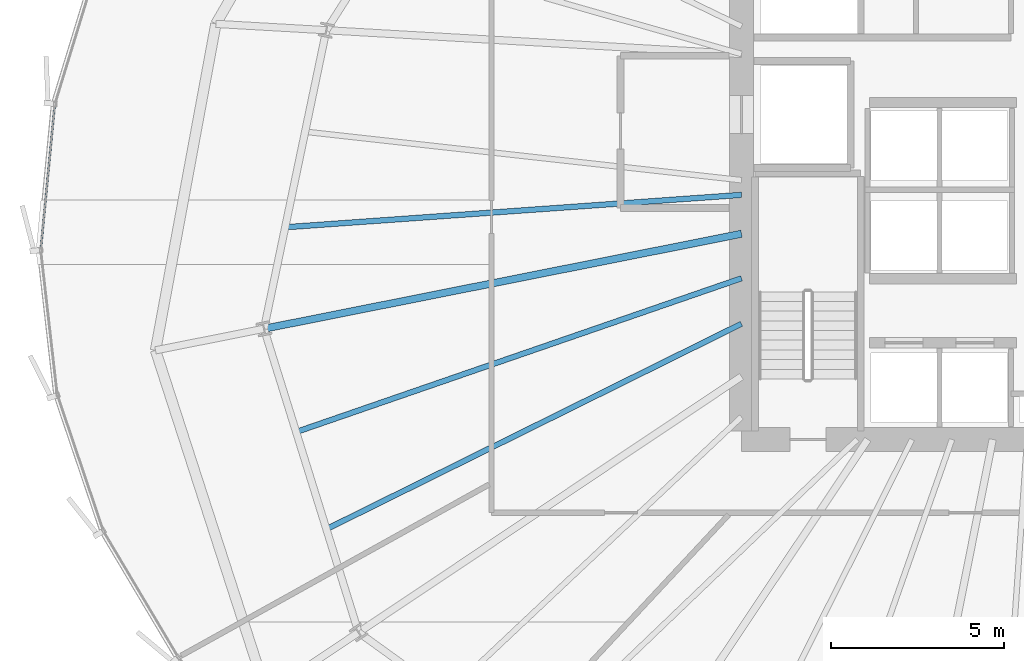
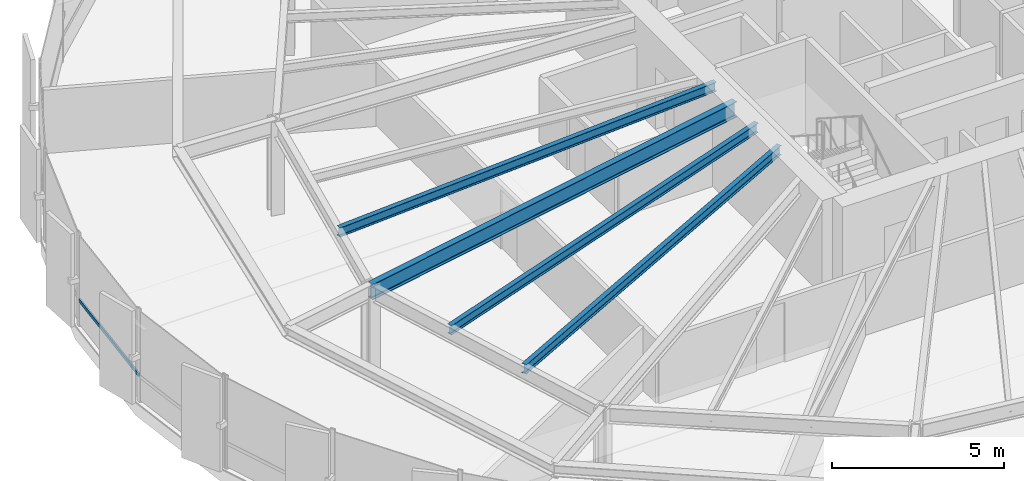
# One storey, part 8 of 35: 4 beams, 1 member, 1 element without a shape of its own.
"""IFC4 building model written with IfcOpenShell, lengths in metres."""

import ifcopenshell
import ifcopenshell.guid

model = None  # the IFC model being written
_history = None  # IfcOwnerHistory: only IFC2X3 demands one
_inside = {}  # id of a spatial element -> (the spatial element, [elements in it])
_under = {}  # id of a project, library or spatial element -> (it, [spatial elements below it])
_declared = {}  # id of a project -> (the project, [libraries it declares])
_typed = {}  # id of a type object -> (the type object, [elements of that type])
_made_of = {}  # id of a material, layer set ... -> (it, [elements and type objects made of it])


def new_model(schema):
    """Start an empty IFC model of exactly this schema.

    Asked for "IFC4X3", IfcOpenShell would pick the latest addendum, in which some entities
    have other attributes; the version numbers below select the first issue.
    IFC2X3 requires an IfcOwnerHistory on every rooted entity: one is made here for all.
    """
    global model, _history
    if schema == "IFC4X3":
        model = ifcopenshell.file(schema_version=(4, 3, 0, 0))
    else:
        model = ifcopenshell.file(schema=schema)
    _inside.clear()
    _under.clear()
    _declared.clear()
    _typed.clear()
    _made_of.clear()
    _history = None
    if model.schema == "IFC2X3":
        org = make("IfcOrganization", Name="unknown")
        user = make(
            "IfcPersonAndOrganization",
            ThePerson=make("IfcPerson", FamilyName="unknown"),
            TheOrganization=org,
        )
        app = make(
            "IfcApplication",
            ApplicationDeveloper=org,
            Version="unknown",
            ApplicationFullName="unknown",
            ApplicationIdentifier="unknown",
        )
        _history = make(
            "IfcOwnerHistory",
            OwningUser=user,
            OwningApplication=app,
            ChangeAction="ADDED",
            CreationDate=0,
        )
    return model


def make(cls, **values):
    """One entity of the class cls with the attributes given. An attribute that is None is left unset."""
    return model.create_entity(
        cls, **{name: value for name, value in values.items() if value is not None}
    )


def rooted(cls, **values):
    """An entity with a GlobalId (a new one), such as an element, a storey or a relation."""
    return make(cls, GlobalId=ifcopenshell.guid.new(), OwnerHistory=_history, **values)


def si_unit(unit_type, name, prefix=None):
    """IfcSIUnit, for example si_unit("LENGTHUNIT", "METRE", prefix="MILLI")."""
    return make("IfcSIUnit", UnitType=unit_type, Prefix=prefix, Name=name)


def assignment(units):
    """IfcUnitAssignment: the units of a project."""
    return None if units is None else make("IfcUnitAssignment", Units=units)


def point(xyz):
    """IfcCartesianPoint."""
    return None if xyz is None else make("IfcCartesianPoint", Coordinates=xyz)


def direction(xyz):
    """IfcDirection."""
    return None if xyz is None else make("IfcDirection", DirectionRatios=xyz)


def frame(location, z_axis=None, x_axis=None):
    """IfcAxis2Placement3D, a coordinate frame: its origin and axes. An axis left out is left unset."""
    return make(
        "IfcAxis2Placement3D",
        Location=point(location),
        Axis=direction(z_axis),
        RefDirection=direction(x_axis),
    )


def frame_2d(location, x_axis=None):
    """IfcAxis2Placement2D, a coordinate frame in the plane: its origin and x axis."""
    return make(
        "IfcAxis2Placement2D", Location=point(location), RefDirection=direction(x_axis)
    )


def origin():
    """The frame at (0, 0, 0) with its axes left unset."""
    return frame((0.0, 0.0, 0.0))


def origin_2d():
    """The frame at (0, 0) in the plane with its x axis left unset."""
    return frame_2d((0.0, 0.0))


def place(relative_to, where):
    """IfcLocalPlacement: puts the frame where relative to a parent placement (None: the world)."""
    return make(
        "IfcLocalPlacement", PlacementRelTo=relative_to, RelativePlacement=where
    )


def context(
    kind, dimensions, precision=None, world=None, true_north=None, identifier=None
):
    """IfcGeometricRepresentationContext, for example the 3D "Model" context."""
    return make(
        "IfcGeometricRepresentationContext",
        ContextIdentifier=identifier,
        ContextType=kind,
        CoordinateSpaceDimension=dimensions,
        Precision=precision,
        WorldCoordinateSystem=world,
        TrueNorth=true_north,
    )


def subcontext(parent, identifier, kind, view, scale=None):
    """IfcGeometricRepresentationSubContext, for example "Body" below "Model"."""
    return make(
        "IfcGeometricRepresentationSubContext",
        ContextIdentifier=identifier,
        ContextType=kind,
        ParentContext=parent,
        TargetScale=scale,
        TargetView=view,
    )


def project(units=None, contexts=None):
    """IfcProject with its units and contexts."""
    return rooted(
        "IfcProject",
        Name="project",
        RepresentationContexts=contexts,
        UnitsInContext=assignment(units),
    )


def spatial(cls, under=None, at=None, **own):
    """A site, building, storey or space (cls), placed at a placement, below another one or the project."""
    s = rooted(cls, ObjectPlacement=at, **own)
    if under is not None:
        _under.setdefault(under.id(), (under, []))[1].append(s)
    return s


def profile(cls, at=None, kind="AREA", **sizes):
    """A parametric profile (cls). Its sizes go by their IFC names, for example OverallWidth=200.0."""
    return make(cls, ProfileType=kind, Position=at, **sizes)


def hollow_rectangle(**sizes):
    """IfcRectangleHollowProfileDef."""
    return profile("IfcRectangleHollowProfileDef", **sizes)


def i_section(**sizes):
    """IfcIShapeProfileDef."""
    return profile("IfcIShapeProfileDef", **sizes)


def extrude(swept, where, along, depth):
    """IfcExtrudedAreaSolid: the profile swept, set in the frame where, extruded along a direction by depth."""
    return make(
        "IfcExtrudedAreaSolid",
        SweptArea=swept,
        Position=where,
        ExtrudedDirection=direction(along),
        Depth=depth,
    )


def shape(context_of_items, identifier, shape_type, items):
    """IfcShapeRepresentation: the items that make up one representation, for example the "Body"."""
    return make(
        "IfcShapeRepresentation",
        ContextOfItems=context_of_items,
        RepresentationIdentifier=identifier,
        RepresentationType=shape_type,
        Items=items,
    )


def source(mapping_origin, context_of_items, identifier, shape_type, items):
    """IfcRepresentationMap: a shape defined once, which mapped items show again and again."""
    return make(
        "IfcRepresentationMap",
        MappingOrigin=mapping_origin,
        MappedRepresentation=shape(context_of_items, identifier, shape_type, items),
    )


def transform(
    local_origin,
    x_axis=None,
    y_axis=None,
    z_axis=None,
    scale=None,
    scale2=None,
    scale3=None,
    uniform=True,
):
    """IfcCartesianTransformationOperator3D, or its non-uniform kind. x_axis, y_axis, z_axis: its Axis1, 2, 3."""
    if uniform:
        return make(
            "IfcCartesianTransformationOperator3D",
            Axis1=direction(x_axis),
            Axis2=direction(y_axis),
            LocalOrigin=point(local_origin),
            Scale=scale,
            Axis3=direction(z_axis),
        )
    return make(
        "IfcCartesianTransformationOperator3DnonUniform",
        Axis1=direction(x_axis),
        Axis2=direction(y_axis),
        LocalOrigin=point(local_origin),
        Scale=scale,
        Axis3=direction(z_axis),
        Scale2=scale2,
        Scale3=scale3,
    )


def mapped(mapping_source, mapping_target):
    """IfcMappedItem: shows the shape of a source again, moved by a transform."""
    return make(
        "IfcMappedItem", MappingSource=mapping_source, MappingTarget=mapping_target
    )


def material(Name=None, Category=None):
    """IfcMaterial."""
    return make("IfcMaterial", Name=Name, Category=Category)


def layer(
    of_material, thickness, ventilated=None, Name=None, Category=None, Priority=None
):
    """IfcMaterialLayer: one layer of a wall or slab, of a material (None: an air gap)."""
    return make(
        "IfcMaterialLayer",
        Material=of_material,
        LayerThickness=thickness,
        IsVentilated=ventilated,
        Name=Name,
        Category=Category,
        Priority=Priority,
    )


def layer_set(layers, Name=None):
    """IfcMaterialLayerSet."""
    return make("IfcMaterialLayerSet", MaterialLayers=layers, LayerSetName=Name)


def material_profile(
    of_material, cross_section, Name=None, Category=None, Priority=None
):
    """IfcMaterialProfile: a cross section and its material."""
    return make(
        "IfcMaterialProfile",
        Name=Name,
        Material=of_material,
        Profile=cross_section,
        Priority=Priority,
        Category=Category,
    )


def profile_set(profiles, Name=None, composite=None):
    """IfcMaterialProfileSet."""
    return make(
        "IfcMaterialProfileSet",
        Name=Name,
        MaterialProfiles=profiles,
        CompositeProfile=composite,
    )


def made_of(thing, what):
    """Note that an element or type object is made of a material, layer set ...; save() writes the relation."""
    if what is not None:
        _made_of.setdefault(what.id(), (what, []))[1].append(thing)
    return thing


def type_object(cls, material=None, **own):
    """A type object (cls), such as IfcWallType, which elements share."""
    return made_of(rooted(cls, **own), material)


def element(
    cls,
    number,
    at=None,
    inside=None,
    cuts=None,
    type_object=None,
    material=None,
    context=None,
    identifier="Body",
    shape_type=None,
    held_by="IfcProductDefinitionShape",
    body=None,
    shapes=None,
    **own,
):
    """One element of the class cls, such as IfcWall. Its Tag is "e" and its number.

    at: its placement. inside: the storey or other place that contains it. cuts: it is an
    opening in that element (IfcRelVoidsElement). A single representation is given by context,
    identifier, shape_type and body (its items); several are given by shapes. held_by: the class
    of the entity that holds the representations. save() writes the other relations.
    """
    e = rooted(cls, Tag="e%d" % number, ObjectPlacement=at, **own)
    if body is not None:
        shapes = [shape(context, identifier, shape_type, body)]
    if shapes is not None:
        e.Representation = make(held_by, Representations=shapes)
    if inside is not None:
        _inside.setdefault(inside.id(), (inside, []))[1].append(e)
    if cuts is not None:
        rooted(
            "IfcRelVoidsElement", RelatingBuildingElement=cuts, RelatedOpeningElement=e
        )
    if type_object is not None:
        _typed.setdefault(type_object.id(), (type_object, []))[1].append(e)
    return made_of(e, material)


def aggregate(whole, parts):
    """IfcRelAggregates: a whole, such as a stair, and the parts it consists of."""
    return rooted("IfcRelAggregates", RelatingObject=whole, RelatedObjects=parts)


def save(model, path):
    """Write the relations noted so far, then the file.

    IfcRelAggregates (storeys below a building ...), IfcRelContainedInSpatialStructure (elements
    in a storey), IfcRelDefinesByType, IfcRelAssociatesMaterial and IfcRelDeclares: one each for
    every whole, place, type object, material and project.
    """
    for whole, parts in _under.values():
        aggregate(whole, parts)
    for where, things in _inside.values():
        rooted(
            "IfcRelContainedInSpatialStructure",
            RelatedElements=things,
            RelatingStructure=where,
        )
    for kind, things in _typed.values():
        rooted("IfcRelDefinesByType", RelatedObjects=things, RelatingType=kind)
    for what, things in _made_of.values():
        rooted("IfcRelAssociatesMaterial", RelatedObjects=things, RelatingMaterial=what)
    for by, libraries in _declared.values():
        rooted("IfcRelDeclares", RelatingContext=by, RelatedDefinitions=libraries)
    model.write(path)


model = new_model("IFC4")

# Units and contexts
model_context = context("Model", 3, precision=1e-05, world=origin(), true_north=direction((0.0, 1.0)))
body_context = subcontext(model_context, "Body", "Model", "MODEL_VIEW")
ifc_project = project(units=[si_unit("LENGTHUNIT", "METRE"), si_unit("AREAUNIT", "SQUARE_METRE"), si_unit("VOLUMEUNIT", "CUBIC_METRE"), si_unit("PLANEANGLEUNIT", "RADIAN"), si_unit("MASSUNIT", "GRAM", prefix="KILO"), si_unit("THERMODYNAMICTEMPERATUREUNIT", "KELVIN")], contexts=[model_context])

# Site, building, storey
site_placement = place(None, origin())
site = spatial("IfcSite", under=ifc_project, at=site_placement, CompositionType="ELEMENT")
building_placement = place(site_placement, origin())
building = spatial("IfcBuilding", under=site, at=building_placement, Name="Kethvar Cultural Tower", CompositionType="ELEMENT")
storey_placement = place(building_placement, frame((0.0, 0.0, 85.60009765625)))
storey = spatial("IfcBuildingStorey", under=building, at=storey_placement, Name="L20", CompositionType="ELEMENT", Elevation=85.60009765625)

# Beams
ifc_material_1 = material(Name="Steel S355J2", Category="steel")
ifc_material_profile_1 = material_profile(ifc_material_1, i_section(OverallWidth=0.2099609375, OverallDepth=0.550048828125, WebThickness=0.010986328125, FlangeThickness=0.01708984375, FilletRadius=0.02392578125, at=origin_2d()), Name="Steel S355J2 — IPE550")
ifc_profile_set_1 = profile_set([ifc_material_profile_1], Name="Steel S355J2 — IPE550")
beam_type_1 = type_object("IfcBeamType", Name="BM-IPE550", PredefinedType="BEAM", material=ifc_profile_set_1)
shared_shape_1 = source(origin(), body_context, "Body", "SweptSolid", [
    extrude(i_section(OverallWidth=0.2099609375, OverallDepth=0.550048828125, WebThickness=0.010986328125, FlangeThickness=0.01708984375, FilletRadius=0.02392578125, at=origin_2d()), origin(), (0.0, 0.0, 1.0), 14.085205078125),
])
beam_1_placement = place(storey_placement, frame((38.0, 26.049560546875, 3.072998046875), z_axis=(-0.98078679373, -0.195082713854, 0.0), x_axis=(0.195082713854, -0.98078679373, 0.0)))
element("IfcBeam", 1, at=beam_1_placement, inside=storey, type_object=beam_type_1, Name="L20 Primary Radial Beam RB-09", PredefinedType="BEAM", context=body_context, shape_type="MappedRepresentation", body=[
    mapped(shared_shape_1, transform((0.0, 0.0, 0.0), scale=1.0)),
])
ifc_material_profile_2 = material_profile(ifc_material_1, i_section(OverallWidth=0.159912109375, OverallDepth=0.330078125, WebThickness=0.007568359375, FlangeThickness=0.011474609375, FilletRadius=0.01806640625, at=origin_2d()), Name="Steel S355J2 — IPE330")
ifc_profile_set_2 = profile_set([ifc_material_profile_2], Name="Steel S355J2 — IPE330")
beam_type_2 = type_object("IfcBeamType", Name="BM-J330", PredefinedType="JOIST", material=ifc_profile_set_2)
shared_shape_2 = source(origin(), body_context, "Body", "SweptSolid", [
    extrude(i_section(OverallWidth=0.159912109375, OverallDepth=0.330078125, WebThickness=0.007568359375, FlangeThickness=0.011474609375, FilletRadius=0.01806640625, at=origin_2d()), origin(), (0.0, 0.0, 1.0), 13.234619140625),
])
beam_2_placement = place(storey_placement, frame((38.0, 27.175537109375, 3.182861328125), z_axis=(-0.997490530945, -0.070800004767, 0.0), x_axis=(0.070800004767, -0.997490530945, 0.0)))
element("IfcBeam", 2, at=beam_2_placement, inside=storey, type_object=beam_type_2, Name="L20 Composite Floor Joist J-08B", PredefinedType="JOIST", context=body_context, shape_type="MappedRepresentation", body=[
    mapped(shared_shape_2, transform((0.0, 0.0, 0.0), scale=1.0)),
])
shared_shape_3 = source(origin(), body_context, "Body", "SweptSolid", [
    extrude(i_section(OverallWidth=0.159912109375, OverallDepth=0.330078125, WebThickness=0.007568359375, FlangeThickness=0.011474609375, FilletRadius=0.01806640625, at=origin_2d()), origin(), (0.0, 0.0, 1.0), 13.630615234375),
])
beam_3_placement = place(storey_placement, frame((38.0, 24.762451171875, 3.182861328125), z_axis=(-0.945269577646, -0.326290400682, 0.0), x_axis=(0.326290400682, -0.945269577646, 0.0)))
element("IfcBeam", 3, at=beam_3_placement, inside=storey, type_object=beam_type_2, Name="L20 Composite Floor Joist J-09A", PredefinedType="JOIST", context=body_context, shape_type="MappedRepresentation", body=[
    mapped(shared_shape_3, transform((0.0, 0.0, 0.0), scale=1.0)),
])
shared_shape_4 = source(origin(), body_context, "Body", "SweptSolid", [
    extrude(i_section(OverallWidth=0.159912109375, OverallDepth=0.330078125, WebThickness=0.007568359375, FlangeThickness=0.011474609375, FilletRadius=0.01806640625, at=origin_2d()), origin(), (0.0, 0.0, 1.0), 13.39892578125),
])
beam_4_placement = place(storey_placement, frame((38.0, 23.44580078125, 3.182861328125), z_axis=(-0.896292467417, -0.44346342899, 0.0), x_axis=(0.44346342899, -0.896292467417, 0.0)))
element("IfcBeam", 4, at=beam_4_placement, inside=storey, type_object=beam_type_2, Name="L20 Composite Floor Joist J-09B", PredefinedType="JOIST", context=body_context, shape_type="MappedRepresentation", body=[
    mapped(shared_shape_4, transform((0.0, 0.0, 0.0), scale=1.0)),
])

# Curtain wall, member
ifc_material_2 = material(Name="Aluminium 6063-T6", Category="aluminium")
ifc_layer = layer(ifc_material_2, 0.179931640625, Name="Aluminium 6063-T6", Category="aluminium")
ifc_layer_set = layer_set([ifc_layer], Name="Aluminium 6063-T6 (180 mm)")
curtain_wall_type = type_object("IfcCurtainWallType", Name="CW-SYS-03-Z2", PredefinedType="NOTDEFINED", material=ifc_layer_set)
curtain_wall_placement = place(storey_placement, origin())
curtain_wall = element("IfcCurtainWall", 5, at=curtain_wall_placement, inside=storey, type_object=curtain_wall_type, Name="L20 Curtain Wall Run 03", PredefinedType="NOTDEFINED")
ifc_material_profile_3 = material_profile(ifc_material_2, hollow_rectangle(XDim=0.054931640625, YDim=0.1201171875, WallThickness=0.00390625, at=origin_2d()), Name="Aluminium 6063-T6 — RHS120x55x4")
ifc_profile_set_3 = profile_set([ifc_material_profile_3], Name="Aluminium 6063-T6 — RHS120x55x4")
member_type = type_object("IfcMemberType", Name="CW-SYS-03-Z2-TRN", PredefinedType="USERDEFINED", material=ifc_profile_set_3)
shared_shape_5 = source(origin(), body_context, "Body", "SweptSolid", [
    extrude(hollow_rectangle(XDim=0.054931640625, YDim=0.1201171875, WallThickness=0.00390625, at=origin_2d()), origin(), (0.0, 0.0, 1.0), 4.18603515625),
])
member_placement = place(storey_placement, frame((18.12890625, 29.765380859375, 0.949951171875), z_axis=(-0.095882436396, -0.995392665429, 0.0), x_axis=(0.995392665429, -0.095882436396, 0.0)))
member = element("IfcMember", 6, at=member_placement, type_object=member_type, Name="CW-L20-R03 Transom 5", ObjectType="TRANSOM", PredefinedType="USERDEFINED", context=body_context, shape_type="MappedRepresentation", body=[
    mapped(shared_shape_5, transform((0.0, 0.0, 0.0), scale=1.0)),
])
aggregate(curtain_wall, [member])

save(model, "model.ifc")
